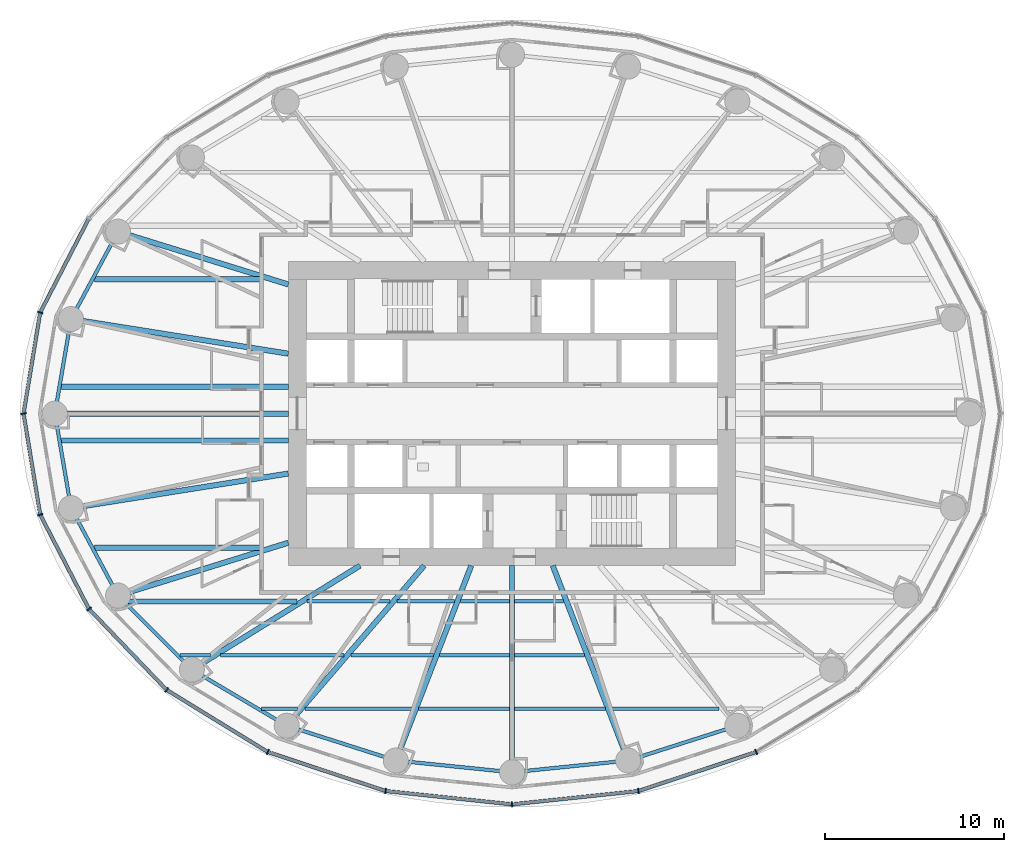
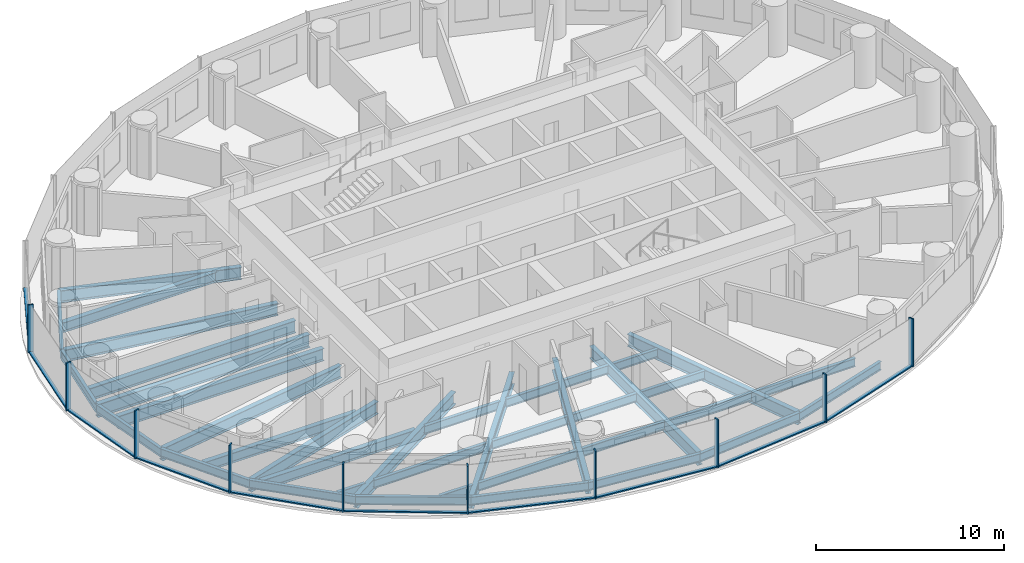
# One storey, part 2 of 16: 39 beams, 20 members, 3 elements without a shape of their own.
"""IFC4 building model written with IfcOpenShell, lengths in metres."""

from ifc_helpers import new_model, si_unit, direction, frame, origin, origin_2d, place, context, subcontext, project, spatial, rectangle, i_section, extrude, material, material_profile, profile_set, type_object, element, aggregate, save


model = new_model("IFC4")

# Units and contexts
model_context = context("Model", 3, precision=1e-05, world=origin(), true_north=direction((0.0, 1.0)))
body_context = subcontext(model_context, "Body", "Model", "MODEL_VIEW")
ifc_project = project(units=[si_unit("LENGTHUNIT", "METRE"), si_unit("AREAUNIT", "SQUARE_METRE"), si_unit("VOLUMEUNIT", "CUBIC_METRE"), si_unit("PLANEANGLEUNIT", "RADIAN"), si_unit("MASSUNIT", "GRAM", prefix="KILO")], contexts=[model_context])

# Site, building, storey
site_placement = place(None, origin())
site = spatial("IfcSite", under=ifc_project, at=site_placement, CompositionType="ELEMENT")
building_placement = place(site_placement, origin())
building = spatial("IfcBuilding", under=site, at=building_placement, Name="Hankou Lantern Tower", CompositionType="ELEMENT")
storey_placement = place(building_placement, frame((0.0, 0.0, 73.800048828125)))
storey = spatial("IfcBuildingStorey", under=building, at=storey_placement, Name="L18", CompositionType="ELEMENT", Elevation=73.800048828125)

# Beams
ifc_material_1 = material(Name="Steel Q355B", Category="steel")
ifc_material_profile_1 = material_profile(ifc_material_1, i_section(OverallWidth=0.199951171875, OverallDepth=0.550048828125, WebThickness=0.010009765625, FlangeThickness=0.01611328125, FilletRadius=0.012939453125, at=origin_2d()), Name="HN550x200x10x16")
ifc_profile_set_1 = profile_set([ifc_material_profile_1], Name="Steel Q355B")
beam_type_1 = type_object("IfcBeamType", Name="EB6 RING BEAM HN550x200x10x16", PredefinedType="SPANDREL", material=ifc_profile_set_1)
beam_1_placement = place(storey_placement, frame((-22.01904296875, 10.170166015625, -0.455078125), z_axis=(-0.473609096023, -0.880735161194, 0.0), x_axis=(0.880735161194, -0.473609096023, 0.0)))
element("IfcBeam", 1, at=beam_1_placement, inside=storey, type_object=beam_type_1, Name="Ring beam R11-R12 L18", PredefinedType="SPANDREL", context=body_context, shape_type="SweptSolid", body=[
    extrude(i_section(OverallWidth=0.199951171875, OverallDepth=0.550048828125, WebThickness=0.010009765625, FlangeThickness=0.01611328125, FilletRadius=0.012939453125, at=origin_2d()), origin(), (0.0, 0.0, 1.0), 5.548828125),
])
for number, where, z_axis, x_axis, name in (
    (2, (-24.64697265625, 5.283203125, -0.455078125), (-0.168489691988, -0.985703415685, 0.0), (0.985703415685, -0.168489691988, 0.0), "Ring beam R12-R13 L18"),
    (3, (-25.550048828125, 0.0, -0.455078125), (0.168489691988, -0.985703415685, 0.0), (0.985703415685, 0.168489691988, 0.0), "Ring beam R13-R14 L18"),
):
    element("IfcBeam", number, at=place(storey_placement, frame(where, z_axis=z_axis, x_axis=x_axis)), inside=storey, type_object=beam_type_1, Name=name, PredefinedType="SPANDREL", context=body_context, shape_type="SweptSolid", body=[
        extrude(i_section(OverallWidth=0.199951171875, OverallDepth=0.550048828125, WebThickness=0.010009765625, FlangeThickness=0.01611328125, FilletRadius=0.012939453125, at=origin_2d()), origin(), (0.0, 0.0, 1.0), 5.35986328125),
    ])
beam_2_placement = place(storey_placement, frame((-24.64697265625, -5.283203125, -0.455078125), z_axis=(0.473609096023, -0.880735161194, 0.0), x_axis=(0.880735161194, 0.473609096023, 0.0)))
element("IfcBeam", 4, at=beam_2_placement, inside=storey, type_object=beam_type_1, Name="Ring beam R14-R15 L18", PredefinedType="SPANDREL", context=body_context, shape_type="SweptSolid", body=[
    extrude(i_section(OverallWidth=0.199951171875, OverallDepth=0.550048828125, WebThickness=0.010009765625, FlangeThickness=0.01611328125, FilletRadius=0.012939453125, at=origin_2d()), origin(), (0.0, 0.0, 1.0), 5.548828125),
])
beam_3_placement = place(storey_placement, frame((-22.01904296875, -10.170166015625, -0.455078125), z_axis=(0.705727798394, -0.708483079949, 0.0), x_axis=(0.708483079949, 0.705727798394, 0.0)))
element("IfcBeam", 5, at=beam_3_placement, inside=storey, type_object=beam_type_1, Name="Ring beam R15-R16 L18", PredefinedType="SPANDREL", context=body_context, shape_type="SweptSolid", body=[
    extrude(i_section(OverallWidth=0.199951171875, OverallDepth=0.550048828125, WebThickness=0.010009765625, FlangeThickness=0.01611328125, FilletRadius=0.012939453125, at=origin_2d()), origin(), (0.0, 0.0, 1.0), 5.84814453125),
])
beam_4_placement = place(storey_placement, frame((-17.891845703125, -14.3134765625, -0.455078125), z_axis=(0.860881533543, -0.508805449268, 0.0), x_axis=(0.508805449268, 0.860881533543, 0.0)))
element("IfcBeam", 6, at=beam_4_placement, inside=storey, type_object=beam_type_1, Name="Ring beam R16-R17 L18", PredefinedType="SPANDREL", context=body_context, shape_type="SweptSolid", body=[
    extrude(i_section(OverallWidth=0.199951171875, OverallDepth=0.550048828125, WebThickness=0.010009765625, FlangeThickness=0.01611328125, FilletRadius=0.012939453125, at=origin_2d()), origin(), (0.0, 0.0, 1.0), 6.15771484375),
])
beam_5_placement = place(storey_placement, frame((-12.5908203125, -17.446533203125, -0.455078125), z_axis=(0.952690479428, -0.303942182671, 0.0), x_axis=(0.303942182671, 0.952690479428, 0.0)))
element("IfcBeam", 7, at=beam_5_placement, inside=storey, type_object=beam_type_1, Name="Ring beam R17-R18 L18", PredefinedType="SPANDREL", context=body_context, shape_type="SweptSolid", body=[
    extrude(i_section(OverallWidth=0.199951171875, OverallDepth=0.550048828125, WebThickness=0.010009765625, FlangeThickness=0.01611328125, FilletRadius=0.012939453125, at=origin_2d()), origin(), (0.0, 0.0, 1.0), 6.398681640625),
])
for number, where, z_axis, x_axis, name in (
    (8, (-6.494873046875, -19.391357421875, -0.455078125), (0.994896616842, -0.100899562915, 0.0), (0.100899562915, 0.994896616842, 0.0), "Ring beam R18-R19 L18"),
    (9, (0.0, -20.050048828125, -0.455078125), (0.994896616842, 0.100899562915, 0.0), (-0.100899562915, 0.994896616842, 0.0), "Ring beam R19-R20 L18"),
):
    element("IfcBeam", number, at=place(storey_placement, frame(where, z_axis=z_axis, x_axis=x_axis)), inside=storey, type_object=beam_type_1, Name=name, PredefinedType="SPANDREL", context=body_context, shape_type="SweptSolid", body=[
        extrude(i_section(OverallWidth=0.199951171875, OverallDepth=0.550048828125, WebThickness=0.010009765625, FlangeThickness=0.01611328125, FilletRadius=0.012939453125, at=origin_2d()), origin(), (0.0, 0.0, 1.0), 6.528076171875),
    ])
beam_6_placement = place(storey_placement, frame((6.494873046875, -19.391357421875, -0.455078125), z_axis=(0.952690479428, 0.303942182671, 0.0), x_axis=(-0.303942182671, 0.952690479428, 0.0)))
element("IfcBeam", 10, at=beam_6_placement, inside=storey, type_object=beam_type_1, Name="Ring beam R20-R21 L18", PredefinedType="SPANDREL", context=body_context, shape_type="SweptSolid", body=[
    extrude(i_section(OverallWidth=0.199951171875, OverallDepth=0.550048828125, WebThickness=0.010009765625, FlangeThickness=0.01611328125, FilletRadius=0.012939453125, at=origin_2d()), origin(), (0.0, 0.0, 1.0), 6.398681640625),
])

# Curtain wall, member
ifc_material_2 = material(Name="Glass, dark grey tinted laminated", Category="glass")
curtain_wall_type = type_object("IfcCurtainWallType", Name="CWA OUTER SKIN LOW-RISE", PredefinedType="USERDEFINED", material=ifc_material_2)
curtain_wall_1_placement = place(storey_placement, origin())
curtain_wall_1 = element("IfcCurtainWall", 11, at=curtain_wall_1_placement, inside=storey, type_object=curtain_wall_type, Name="CWA L18 OS2", ObjectType="OUTER SKIN LOW-RISE", PredefinedType="USERDEFINED")
ifc_material_3 = material(Name="Aluminium, black anodised", Category="aluminium")
ifc_material_profile_2 = material_profile(ifc_material_3, rectangle(XDim=0.080078125, YDim=0.300048828125, at=origin_2d()), Name="MU1 80X300")
ifc_profile_set_2 = profile_set([ifc_material_profile_2], Name="Aluminium, black anodised")
member_type_1 = type_object("IfcMemberType", Name="MU1 OUTER SKIN MULLION 80X300", PredefinedType="MULLION", material=ifc_profile_set_2)
member_1_placement = place(storey_placement, frame((-26.369873046875, 5.652587890625, 0.0), z_axis=(0.0, 0.0, 1.0), x_axis=(-0.317595577365, -0.94822626479, 0.0)))
member_1 = element("IfcMember", 12, at=member_1_placement, type_object=member_type_1, Name="CWA mullion 6", PredefinedType="MULLION", context=body_context, shape_type="SweptSolid", body=[
    extrude(rectangle(XDim=0.080078125, YDim=0.300048828125, at=origin_2d()), origin(), (0.0, 0.0, 1.0), 3.119873046875),
])

# Curtain wall, members
curtain_wall_2_placement = place(storey_placement, origin())
curtain_wall_2 = element("IfcCurtainWall", 13, at=curtain_wall_2_placement, inside=storey, type_object=curtain_wall_type, Name="CWA L18 OS3", ObjectType="OUTER SKIN LOW-RISE", PredefinedType="USERDEFINED")
member_2_placement = place(storey_placement, frame((-27.300048828125, 0.0, 0.0), z_axis=(0.0, 0.0, 1.0), x_axis=(0.162381515188, -0.986728049427, 0.0)))
member_2 = element("IfcMember", 14, at=member_2_placement, type_object=member_type_1, Name="CWA mullion 1", PredefinedType="MULLION", context=body_context, shape_type="SweptSolid", body=[
    extrude(rectangle(XDim=0.080078125, YDim=0.300048828125, at=origin_2d()), origin(), (0.0, 0.0, 1.0), 3.119873046875),
])
member_3_placement = place(storey_placement, frame((-26.369873046875, -5.652587890625, 0.0), z_axis=(0.0, 0.0, 1.0), x_axis=(0.317595577365, -0.94822626479, 0.0)))
member_3 = element("IfcMember", 15, at=member_3_placement, type_object=member_type_1, Name="CWA mullion 2", PredefinedType="MULLION", context=body_context, shape_type="SweptSolid", body=[
    extrude(rectangle(XDim=0.080078125, YDim=0.300048828125, at=origin_2d()), origin(), (0.0, 0.0, 1.0), 3.119873046875),
])
member_4_placement = place(storey_placement, frame((-23.642578125, -10.919921875, 0.0), z_axis=(0.0, 0.0, 1.0), x_axis=(0.585205735974, -0.810884854084, 0.0)))
member_4 = element("IfcMember", 16, at=member_4_placement, type_object=member_type_1, Name="CWA mullion 3", PredefinedType="MULLION", context=body_context, shape_type="SweptSolid", body=[
    extrude(rectangle(XDim=0.080078125, YDim=0.300048828125, at=origin_2d()), origin(), (0.0, 0.0, 1.0), 3.119873046875),
])
member_5_placement = place(storey_placement, frame((-19.303955078125, -15.443115234375, 0.0), z_axis=(0.0, 0.0, 1.0), x_axis=(0.780868809444, -0.624695047553, 0.0)))
member_5 = element("IfcMember", 17, at=member_5_placement, type_object=member_type_1, Name="CWA mullion 4", PredefinedType="MULLION", context=body_context, shape_type="SweptSolid", body=[
    extrude(rectangle(XDim=0.080078125, YDim=0.300048828125, at=origin_2d()), origin(), (0.0, 0.0, 1.0), 3.119873046875),
])
member_6_placement = place(storey_placement, frame((-13.64990234375, -18.9140625, 0.0), z_axis=(0.0, 0.0, 1.0), x_axis=(0.907841299004, -0.419313934686, 0.0)))
member_6 = element("IfcMember", 18, at=member_6_placement, type_object=member_type_1, Name="CWA mullion 5", PredefinedType="MULLION", context=body_context, shape_type="SweptSolid", body=[
    extrude(rectangle(XDim=0.080078125, YDim=0.300048828125, at=origin_2d()), origin(), (0.0, 0.0, 1.0), 3.119873046875),
])
member_7_placement = place(storey_placement, frame((-7.065673828125, -21.095703125, 0.0), z_axis=(0.0, 0.0, 1.0), x_axis=(0.977787659625, -0.209597931016, 0.0)))
member_7 = element("IfcMember", 19, at=member_7_placement, type_object=member_type_1, Name="CWA mullion 6", PredefinedType="MULLION", context=body_context, shape_type="SweptSolid", body=[
    extrude(rectangle(XDim=0.080078125, YDim=0.300048828125, at=origin_2d()), origin(), (0.0, 0.0, 1.0), 3.119873046875),
])

curtain_wall_3_placement = place(storey_placement, origin())
curtain_wall_3 = element("IfcCurtainWall", 20, at=curtain_wall_3_placement, inside=storey, type_object=curtain_wall_type, Name="CWA L18 OS4", ObjectType="OUTER SKIN LOW-RISE", PredefinedType="USERDEFINED")
member_8_placement = place(storey_placement, frame((0.0, -21.840087890625, 0.0), z_axis=(0.0, 0.0, 1.0), x_axis=(0.994499359107, 0.104742659579, 0.0)))
member_8 = element("IfcMember", 21, at=member_8_placement, type_object=member_type_1, Name="CWA mullion 1", PredefinedType="MULLION", context=body_context, shape_type="SweptSolid", body=[
    extrude(rectangle(XDim=0.080078125, YDim=0.300048828125, at=origin_2d()), origin(), (0.0, 0.0, 1.0), 3.119873046875),
])
member_9_placement = place(storey_placement, frame((7.065673828125, -21.095703125, 0.0), z_axis=(0.0, 0.0, 1.0), x_axis=(0.977787659625, 0.209597931016, 0.0)))
member_9 = element("IfcMember", 22, at=member_9_placement, type_object=member_type_1, Name="CWA mullion 2", PredefinedType="MULLION", context=body_context, shape_type="SweptSolid", body=[
    extrude(rectangle(XDim=0.080078125, YDim=0.300048828125, at=origin_2d()), origin(), (0.0, 0.0, 1.0), 3.119873046875),
])
member_10_placement = place(storey_placement, frame((13.64990234375, -18.9140625, 0.0), z_axis=(0.0, 0.0, 1.0), x_axis=(0.907841299004, 0.419313934686, 0.0)))
member_10 = element("IfcMember", 23, at=member_10_placement, type_object=member_type_1, Name="CWA mullion 3", PredefinedType="MULLION", context=body_context, shape_type="SweptSolid", body=[
    extrude(rectangle(XDim=0.080078125, YDim=0.300048828125, at=origin_2d()), origin(), (0.0, 0.0, 1.0), 3.119873046875),
])

# Beams
ifc_material_4 = material(Name="Steel Q355B", Category="steel")
ifc_material_profile_3 = material_profile(ifc_material_4, i_section(OverallWidth=0.300048828125, OverallDepth=0.800048828125, WebThickness=0.013916015625, FlangeThickness=0.02587890625, FilletRadius=0.01806640625, at=origin_2d()), Name="HN800x300x14x26")
ifc_profile_set_3 = profile_set([ifc_material_profile_3], Name="Steel Q355B")
beam_type_2 = type_object("IfcBeamType", Name="RB11 RADIAL BEAM HN800x300x14x26", PredefinedType="BEAM", material=ifc_profile_set_3)
beam_7_placement = place(storey_placement, frame((-12.5, 7.216796875, -0.580078125), z_axis=(-0.955087327755, 0.29632447817, 0.0), x_axis=(-0.29632447817, -0.955087327755, 0.0)))
element("IfcBeam", 24, at=beam_7_placement, inside=storey, type_object=beam_type_2, Name="Radial beam R11 L18", PredefinedType="BEAM", context=body_context, shape_type="SweptSolid", body=[
    extrude(i_section(OverallWidth=0.300048828125, OverallDepth=0.800048828125, WebThickness=0.013916015625, FlangeThickness=0.02587890625, FilletRadius=0.01806640625, at=origin_2d()), origin(), (0.0, 0.0, 1.0), 9.966552734375),
])
for number, where, z_axis, x_axis, name in (
    (25, (-12.5, 3.349365234375, -0.580078125), (-0.987563081343, 0.157223281893, 0.0), (-0.157223281893, -0.987563081343, 0.0), "Radial beam R12 L18"),
    (26, (-12.5, -3.349365234375, -0.580078125), (-0.987563081343, -0.157223281893, 0.0), (0.157223281893, -0.987563081343, 0.0), "Radial beam R14 L18"),
):
    element("IfcBeam", number, at=place(storey_placement, frame(where, z_axis=z_axis, x_axis=x_axis)), inside=storey, type_object=beam_type_2, Name=name, PredefinedType="BEAM", context=body_context, shape_type="SweptSolid", body=[
        extrude(i_section(OverallWidth=0.300048828125, OverallDepth=0.800048828125, WebThickness=0.013916015625, FlangeThickness=0.02587890625, FilletRadius=0.01806640625, at=origin_2d()), origin(), (0.0, 0.0, 1.0), 12.300048828125),
    ])
beam_8_placement = place(storey_placement, frame((-12.5, -7.216796875, -0.580078125), z_axis=(-0.955087327755, -0.29632447817, 0.0), x_axis=(0.29632447817, -0.955087327755, 0.0)))
element("IfcBeam", 27, at=beam_8_placement, inside=storey, type_object=beam_type_2, Name="Radial beam R15 L18", PredefinedType="BEAM", context=body_context, shape_type="SweptSolid", body=[
    extrude(i_section(OverallWidth=0.300048828125, OverallDepth=0.800048828125, WebThickness=0.013916015625, FlangeThickness=0.02587890625, FilletRadius=0.01806640625, at=origin_2d()), origin(), (0.0, 0.0, 1.0), 9.966552734375),
])
beam_9_placement = place(storey_placement, frame((-8.5, -8.5, -0.580078125), z_axis=(-0.850286343288, -0.526320372414, 0.0), x_axis=(0.526320372414, -0.850286343288, 0.0)))
element("IfcBeam", 28, at=beam_9_placement, inside=storey, type_object=beam_type_2, Name="Radial beam R16 L18", PredefinedType="BEAM", context=body_context, shape_type="SweptSolid", body=[
    extrude(i_section(OverallWidth=0.300048828125, OverallDepth=0.800048828125, WebThickness=0.013916015625, FlangeThickness=0.02587890625, FilletRadius=0.01806640625, at=origin_2d()), origin(), (0.0, 0.0, 1.0), 11.04541015625),
])
beam_10_placement = place(storey_placement, frame((-4.907470703125, -8.5, -0.580078125), z_axis=(-0.651519061225, -0.758632264579, 0.0), x_axis=(0.758632264579, -0.651519061225, 0.0)))
element("IfcBeam", 29, at=beam_10_placement, inside=storey, type_object=beam_type_2, Name="Radial beam R17 L18", PredefinedType="BEAM", context=body_context, shape_type="SweptSolid", body=[
    extrude(i_section(OverallWidth=0.300048828125, OverallDepth=0.800048828125, WebThickness=0.013916015625, FlangeThickness=0.02587890625, FilletRadius=0.01806640625, at=origin_2d()), origin(), (0.0, 0.0, 1.0), 11.79296875),
])
beam_11_placement = place(storey_placement, frame((-2.277587890625, -8.5, -0.580078125), z_axis=(-0.361089103374, -0.932531318201, 0.0), x_axis=(0.932531318201, -0.361089103374, 0.0)))
element("IfcBeam", 30, at=beam_11_placement, inside=storey, type_object=beam_type_2, Name="Radial beam R18 L18", PredefinedType="BEAM", context=body_context, shape_type="SweptSolid", body=[
    extrude(i_section(OverallWidth=0.300048828125, OverallDepth=0.800048828125, WebThickness=0.013916015625, FlangeThickness=0.02587890625, FilletRadius=0.01806640625, at=origin_2d()), origin(), (0.0, 0.0, 1.0), 11.679443359375),
])
beam_12_placement = place(storey_placement, frame((0.0, -8.5, -0.580078125), z_axis=(0.0, -1.0, 0.0), x_axis=(1.0, 0.0, 0.0)))
element("IfcBeam", 31, at=beam_12_placement, inside=storey, type_object=beam_type_2, Name="Radial beam R19 L18", PredefinedType="BEAM", context=body_context, shape_type="SweptSolid", body=[
    extrude(i_section(OverallWidth=0.300048828125, OverallDepth=0.800048828125, WebThickness=0.013916015625, FlangeThickness=0.02587890625, FilletRadius=0.01806640625, at=origin_2d()), origin(), (0.0, 0.0, 1.0), 11.550048828125),
])
beam_13_placement = place(storey_placement, frame((2.277587890625, -8.5, -0.580078125), z_axis=(0.361089103374, -0.932531318201, 0.0), x_axis=(0.932531318201, 0.361089103374, 0.0)))
element("IfcBeam", 32, at=beam_13_placement, inside=storey, type_object=beam_type_2, Name="Radial beam R20 L18", PredefinedType="BEAM", context=body_context, shape_type="SweptSolid", body=[
    extrude(i_section(OverallWidth=0.300048828125, OverallDepth=0.800048828125, WebThickness=0.013916015625, FlangeThickness=0.02587890625, FilletRadius=0.01806640625, at=origin_2d()), origin(), (0.0, 0.0, 1.0), 11.679443359375),
])
ifc_material_5 = material(Name="Steel Q355B", Category="steel")
ifc_material_profile_4 = material_profile(ifc_material_5, i_section(OverallWidth=0.300048828125, OverallDepth=0.85009765625, WebThickness=0.01611328125, FlangeThickness=0.027099609375, FilletRadius=0.01806640625, at=origin_2d()), Name="HN850x300x16x27")
ifc_profile_set_4 = profile_set([ifc_material_profile_4], Name="Steel Q355B")
beam_type_3 = type_object("IfcBeamType", Name="RB12 RADIAL BEAM HN850x300x16x27", PredefinedType="BEAM", material=ifc_profile_set_4)
beam_14_placement = place(storey_placement, frame((-12.5, 0.0, -0.60498046875), z_axis=(-1.0, 0.0, 0.0), x_axis=(0.0, -1.0, 0.0)))
element("IfcBeam", 33, at=beam_14_placement, inside=storey, type_object=beam_type_3, Name="Radial beam R13 L18", PredefinedType="BEAM", context=body_context, shape_type="SweptSolid", body=[
    extrude(i_section(OverallWidth=0.300048828125, OverallDepth=0.85009765625, WebThickness=0.01611328125, FlangeThickness=0.027099609375, FilletRadius=0.01806640625, at=origin_2d()), origin(), (0.0, 0.0, 1.0), 13.050048828125),
])
ifc_material_6 = material(Name="Steel Q355B", Category="steel")
ifc_material_profile_5 = material_profile(ifc_material_6, i_section(OverallWidth=0.300048828125, OverallDepth=0.800048828125, WebThickness=0.013916015625, FlangeThickness=0.02587890625, FilletRadius=0.01806640625, at=origin_2d()), Name="HN800x300x14x26")
ifc_profile_set_5 = profile_set([ifc_material_profile_5], Name="Steel Q355B")
beam_type_4 = type_object("IfcBeamType", Name="SB11 SECONDARY BEAM HN800x300x14x26", PredefinedType="JOIST", material=ifc_profile_set_5)
for number, where, z_axis, x_axis, name in (
    (34, (-25.192138671875, -1.5, -0.580078125), (1.0, 0.0, 0.0), (0.0, 1.0, 0.0), "Floor joist J029 L18"),
    (35, (-25.192138671875, 1.5, -0.580078125), (1.0, 0.0, 0.0), (0.0, 1.0, 0.0), "Floor joist J031 L18"),
):
    element("IfcBeam", number, at=place(storey_placement, frame(where, z_axis=z_axis, x_axis=x_axis)), inside=storey, type_object=beam_type_4, Name=name, PredefinedType="JOIST", context=body_context, shape_type="SweptSolid", body=[
        extrude(i_section(OverallWidth=0.300048828125, OverallDepth=0.800048828125, WebThickness=0.013916015625, FlangeThickness=0.02587890625, FilletRadius=0.01806640625, at=origin_2d()), origin(), (0.0, 0.0, 1.0), 12.692138671875),
    ])
ifc_material_7 = material(Name="Steel Q355B", Category="steel")
ifc_material_profile_6 = material_profile(ifc_material_7, i_section(OverallWidth=0.199951171875, OverallDepth=0.550048828125, WebThickness=0.010009765625, FlangeThickness=0.01611328125, FilletRadius=0.012939453125, at=origin_2d()), Name="HN550x200x10x16")
ifc_profile_set_6 = profile_set([ifc_material_profile_6], Name="Steel Q355B")
beam_type_5 = type_object("IfcBeamType", Name="SB6 SECONDARY BEAM HN550x200x10x16", PredefinedType="JOIST", material=ifc_profile_set_6)
beam_15_placement = place(storey_placement, frame((-13.99560546875, -16.5, -0.455078125), z_axis=(1.0, 0.0, 0.0), x_axis=(0.0, 1.0, 0.0)))
element("IfcBeam", 36, at=beam_15_placement, inside=storey, type_object=beam_type_5, Name="Floor joist J001 L18", PredefinedType="JOIST", context=body_context, shape_type="SweptSolid", body=[
    extrude(i_section(OverallWidth=0.199951171875, OverallDepth=0.550048828125, WebThickness=0.010009765625, FlangeThickness=0.01611328125, FilletRadius=0.012939453125, at=origin_2d()), origin(), (0.0, 0.0, 1.0), 2.019775390625),
])
beam_16_placement = place(storey_placement, frame((-11.580322265625, -16.5, -0.455078125), z_axis=(1.0, 0.0, 0.0), x_axis=(0.0, 1.0, 0.0)))
element("IfcBeam", 37, at=beam_16_placement, inside=storey, type_object=beam_type_5, Name="Floor joist J002 L18", PredefinedType="JOIST", context=body_context, shape_type="SweptSolid", body=[
    extrude(i_section(OverallWidth=0.199951171875, OverallDepth=0.550048828125, WebThickness=0.010009765625, FlangeThickness=0.01611328125, FilletRadius=0.012939453125, at=origin_2d()), origin(), (0.0, 0.0, 1.0), 6.044189453125),
])
for number, where, z_axis, x_axis, name in (
    (38, (-5.21435546875, -16.5, -0.455078125), (1.0, 0.0, 0.0), (0.0, 1.0, 0.0), "Floor joist J003 L18"),
    (39, (0.14990234375, -16.5, -0.455078125), (1.0, 0.0, 0.0), (0.0, 1.0, 0.0), "Floor joist J004 L18"),
):
    element("IfcBeam", number, at=place(storey_placement, frame(where, z_axis=z_axis, x_axis=x_axis)), inside=storey, type_object=beam_type_5, Name=name, PredefinedType="JOIST", context=body_context, shape_type="SweptSolid", body=[
        extrude(i_section(OverallWidth=0.199951171875, OverallDepth=0.550048828125, WebThickness=0.010009765625, FlangeThickness=0.01611328125, FilletRadius=0.012939453125, at=origin_2d()), origin(), (0.0, 0.0, 1.0), 5.064453125),
    ])
beam_17_placement = place(storey_placement, frame((5.5361328125, -16.5, -0.455078125), z_axis=(1.0, 0.0, 0.0), x_axis=(0.0, 1.0, 0.0)))
element("IfcBeam", 40, at=beam_17_placement, inside=storey, type_object=beam_type_5, Name="Floor joist J005 L18", PredefinedType="JOIST", context=body_context, shape_type="SweptSolid", body=[
    extrude(i_section(OverallWidth=0.199951171875, OverallDepth=0.550048828125, WebThickness=0.010009765625, FlangeThickness=0.01611328125, FilletRadius=0.012939453125, at=origin_2d()), origin(), (0.0, 0.0, 1.0), 6.044189453125),
])
beam_18_placement = place(storey_placement, frame((-18.560791015625, -13.5, -0.455078125), z_axis=(1.0, 0.0, 0.0), x_axis=(0.0, 1.0, 0.0)))
element("IfcBeam", 41, at=beam_18_placement, inside=storey, type_object=beam_type_5, Name="Floor joist J007 L18", PredefinedType="JOIST", context=body_context, shape_type="SweptSolid", body=[
    extrude(i_section(OverallWidth=0.199951171875, OverallDepth=0.550048828125, WebThickness=0.010009765625, FlangeThickness=0.01611328125, FilletRadius=0.012939453125, at=origin_2d()), origin(), (0.0, 0.0, 1.0), 1.697998046875),
])
beam_19_placement = place(storey_placement, frame((-16.292724609375, -13.5, -0.455078125), z_axis=(1.0, 0.0, 0.0), x_axis=(0.0, 1.0, 0.0)))
element("IfcBeam", 42, at=beam_19_placement, inside=storey, type_object=beam_type_5, Name="Floor joist J008 L18", PredefinedType="JOIST", context=body_context, shape_type="SweptSolid", body=[
    extrude(i_section(OverallWidth=0.199951171875, OverallDepth=0.550048828125, WebThickness=0.010009765625, FlangeThickness=0.01611328125, FilletRadius=0.012939453125, at=origin_2d()), origin(), (0.0, 0.0, 1.0), 6.893310546875),
])
beam_20_placement = place(storey_placement, frame((-9.00390625, -13.5, -0.455078125), z_axis=(1.0, 0.0, 0.0), x_axis=(0.0, 1.0, 0.0)))
element("IfcBeam", 43, at=beam_20_placement, inside=storey, type_object=beam_type_5, Name="Floor joist J009 L18", PredefinedType="JOIST", context=body_context, shape_type="SweptSolid", body=[
    extrude(i_section(OverallWidth=0.199951171875, OverallDepth=0.550048828125, WebThickness=0.010009765625, FlangeThickness=0.01611328125, FilletRadius=0.012939453125, at=origin_2d()), origin(), (0.0, 0.0, 1.0), 4.62939453125),
])
for number, where, z_axis, x_axis, name in (
    (44, (-4.052734375, -13.5, -0.455078125), (1.0, 0.0, 0.0), (0.0, 1.0, 0.0), "Floor joist J010 L18"),
    (45, (0.14990234375, -13.5, -0.455078125), (1.0, 0.0, 0.0), (0.0, 1.0, 0.0), "Floor joist J011 L18"),
):
    element("IfcBeam", number, at=place(storey_placement, frame(where, z_axis=z_axis, x_axis=x_axis)), inside=storey, type_object=beam_type_5, Name=name, PredefinedType="JOIST", context=body_context, shape_type="SweptSolid", body=[
        extrude(i_section(OverallWidth=0.199951171875, OverallDepth=0.550048828125, WebThickness=0.010009765625, FlangeThickness=0.01611328125, FilletRadius=0.012939453125, at=origin_2d()), origin(), (0.0, 0.0, 1.0), 3.90283203125),
    ])
beam_21_placement = place(storey_placement, frame((-11.446044921875, -10.5, -0.455078125), z_axis=(1.0, 0.0, 0.0), x_axis=(0.0, 1.0, 0.0)))
element("IfcBeam", 46, at=beam_21_placement, inside=storey, type_object=beam_type_5, Name="Floor joist J016 L18", PredefinedType="JOIST", context=body_context, shape_type="SweptSolid", body=[
    extrude(i_section(OverallWidth=0.199951171875, OverallDepth=0.550048828125, WebThickness=0.010009765625, FlangeThickness=0.01611328125, FilletRadius=0.012939453125, at=origin_2d()), origin(), (0.0, 0.0, 1.0), 4.623291015625),
])
beam_22_placement = place(storey_placement, frame((-6.427490234375, -10.5, -0.455078125), z_axis=(1.0, 0.0, 0.0), x_axis=(0.0, 1.0, 0.0)))
element("IfcBeam", 47, at=beam_22_placement, inside=storey, type_object=beam_type_5, Name="Floor joist J017 L18", PredefinedType="JOIST", context=body_context, shape_type="SweptSolid", body=[
    extrude(i_section(OverallWidth=0.199951171875, OverallDepth=0.550048828125, WebThickness=0.010009765625, FlangeThickness=0.01611328125, FilletRadius=0.012939453125, at=origin_2d()), origin(), (0.0, 0.0, 1.0), 3.214599609375),
])
for number, where, z_axis, x_axis, name in (
    (48, (-2.89111328125, -10.5, -0.455078125), (1.0, 0.0, 0.0), (0.0, 1.0, 0.0), "Floor joist J018 L18"),
    (49, (0.14990234375, -10.5, -0.455078125), (1.0, 0.0, 0.0), (0.0, 1.0, 0.0), "Floor joist J019 L18"),
):
    element("IfcBeam", number, at=place(storey_placement, frame(where, z_axis=z_axis, x_axis=x_axis)), inside=storey, type_object=beam_type_5, Name=name, PredefinedType="JOIST", context=body_context, shape_type="SweptSolid", body=[
        extrude(i_section(OverallWidth=0.199951171875, OverallDepth=0.550048828125, WebThickness=0.010009765625, FlangeThickness=0.01611328125, FilletRadius=0.012939453125, at=origin_2d()), origin(), (0.0, 0.0, 1.0), 2.7412109375),
    ])
ifc_material_8 = material(Name="Steel Q355B", Category="steel")
ifc_material_profile_7 = material_profile(ifc_material_8, i_section(OverallWidth=0.300048828125, OverallDepth=0.64990234375, WebThickness=0.010986328125, FlangeThickness=0.01708984375, FilletRadius=0.01806640625, at=origin_2d()), Name="HN650x300x11x17")
ifc_profile_set_7 = profile_set([ifc_material_profile_7], Name="Steel Q355B")
beam_type_6 = type_object("IfcBeamType", Name="SB8 SECONDARY BEAM HN650x300x11x17", PredefinedType="JOIST", material=ifc_profile_set_7)
beam_23_placement = place(storey_placement, frame((-21.54931640625, -10.5, -0.505126953125), z_axis=(1.0, 0.0, 0.0), x_axis=(0.0, 1.0, 0.0)))
element("IfcBeam", 50, at=beam_23_placement, inside=storey, type_object=beam_type_6, Name="Floor joist J015 L18", PredefinedType="JOIST", context=body_context, shape_type="SweptSolid", body=[
    extrude(i_section(OverallWidth=0.300048828125, OverallDepth=0.64990234375, WebThickness=0.010986328125, FlangeThickness=0.01708984375, FilletRadius=0.01806640625, at=origin_2d()), origin(), (0.0, 0.0, 1.0), 9.533203125),
])
for number, where, z_axis, x_axis, name in (
    (51, (-23.341552734375, -7.5, -0.505126953125), (1.0, 0.0, 0.0), (0.0, 1.0, 0.0), "Floor joist J023 L18"),
    (52, (-23.341552734375, 7.5, -0.505126953125), (1.0, 0.0, 0.0), (0.0, 1.0, 0.0), "Floor joist J037 L18"),
):
    element("IfcBeam", number, at=place(storey_placement, frame(where, z_axis=z_axis, x_axis=x_axis)), inside=storey, type_object=beam_type_6, Name=name, PredefinedType="JOIST", context=body_context, shape_type="SweptSolid", body=[
        extrude(i_section(OverallWidth=0.300048828125, OverallDepth=0.64990234375, WebThickness=0.010986328125, FlangeThickness=0.01708984375, FilletRadius=0.01806640625, at=origin_2d()), origin(), (0.0, 0.0, 1.0), 9.4228515625),
    ])

# Member
ifc_material_9 = material(Name="Aluminium, black anodised", Category="aluminium")
ifc_material_profile_8 = material_profile(ifc_material_9, rectangle(XDim=0.199951171875, YDim=0.080078125, at=origin_2d()), Name="TR1 200X80")
ifc_profile_set_8 = profile_set([ifc_material_profile_8], Name="Aluminium, black anodised")
member_type_2 = type_object("IfcMemberType", Name="TR1 OUTER SKIN TRANSOM 200X80", PredefinedType="USERDEFINED", material=ifc_profile_set_8)
member_11_placement = place(storey_placement, frame((-23.660888671875, 10.884521484375, 0.0400390625), z_axis=(-0.459786096495, -0.888029698529, 0.0), x_axis=(0.888029698529, -0.459786096495, 0.0)))
member_11 = element("IfcMember", 53, at=member_11_placement, type_object=member_type_2, Name="CWA transom 5", ObjectType="TRANSOM", PredefinedType="USERDEFINED", context=body_context, shape_type="SweptSolid", body=[
    extrude(rectangle(XDim=0.199951171875, YDim=0.080078125, at=origin_2d()), origin(), (0.0, 0.0, 1.0), 5.8515625),
])

member_12_placement = place(storey_placement, frame((-26.376220703125, 5.613037109375, 0.0400390625), z_axis=(-0.162387045529, -0.986727139307, 0.0), x_axis=(0.986727139307, -0.162387045529, 0.0)))
member_12 = element("IfcMember", 54, at=member_12_placement, type_object=member_type_2, Name="CWA transom 6", ObjectType="TRANSOM", PredefinedType="USERDEFINED", context=body_context, shape_type="SweptSolid", body=[
    extrude(rectangle(XDim=0.199951171875, YDim=0.080078125, at=origin_2d()), origin(), (0.0, 0.0, 1.0), 5.6484375),
])

aggregate(curtain_wall_1, [member_1, member_11, member_12])

member_13_placement = place(storey_placement, frame((-27.29345703125, -0.03955078125, 0.0400390625), z_axis=(0.162387045529, -0.986727139307, 0.0), x_axis=(0.986727139307, 0.162387045529, 0.0)))
member_13 = element("IfcMember", 55, at=member_13_placement, type_object=member_type_2, Name="CWA transom 1", ObjectType="TRANSOM", PredefinedType="USERDEFINED", context=body_context, shape_type="SweptSolid", body=[
    extrude(rectangle(XDim=0.199951171875, YDim=0.080078125, at=origin_2d()), origin(), (0.0, 0.0, 1.0), 5.6484375),
])

member_14_placement = place(storey_placement, frame((-26.351318359375, -5.688232421875, 0.0400390625), z_axis=(0.459786096495, -0.888029698529, 0.0), x_axis=(0.888029698529, 0.459786096495, 0.0)))
member_14 = element("IfcMember", 56, at=member_14_placement, type_object=member_type_2, Name="CWA transom 2", ObjectType="TRANSOM", PredefinedType="USERDEFINED", context=body_context, shape_type="SweptSolid", body=[
    extrude(rectangle(XDim=0.199951171875, YDim=0.080078125, at=origin_2d()), origin(), (0.0, 0.0, 1.0), 5.8515625),
])

member_15_placement = place(storey_placement, frame((-23.61474609375, -10.948974609375, 0.0400390625), z_axis=(0.692215537374, -0.721690827029, 0.0), x_axis=(0.721690827029, 0.692215537374, 0.0)))
member_15 = element("IfcMember", 57, at=member_15_placement, type_object=member_type_2, Name="CWA transom 3", ObjectType="TRANSOM", PredefinedType="USERDEFINED", context=body_context, shape_type="SweptSolid", body=[
    extrude(rectangle(XDim=0.199951171875, YDim=0.080078125, at=origin_2d()), origin(), (0.0, 0.0, 1.0), 6.187255859375),
])

member_16_placement = place(storey_placement, frame((-19.27001953125, -15.464111328125, 0.0400390625), z_axis=(0.85223969557, -0.523151508929, 0.0), x_axis=(0.523151508929, 0.85223969557, 0.0)))
member_16 = element("IfcMember", 58, at=member_16_placement, type_object=member_type_2, Name="CWA transom 4", ObjectType="TRANSOM", PredefinedType="USERDEFINED", context=body_context, shape_type="SweptSolid", body=[
    extrude(rectangle(XDim=0.199951171875, YDim=0.080078125, at=origin_2d()), origin(), (0.0, 0.0, 1.0), 6.554443359375),
])

member_17_placement = place(storey_placement, frame((-13.612060546875, -18.926513671875, 0.0400390625), z_axis=(0.949237318771, -0.314560825044, 0.0), x_axis=(0.314560825044, 0.949237318771, 0.0)))
member_17 = element("IfcMember", 59, at=member_17_placement, type_object=member_type_2, Name="CWA transom 5", ObjectType="TRANSOM", PredefinedType="USERDEFINED", context=body_context, shape_type="SweptSolid", body=[
    extrude(rectangle(XDim=0.199951171875, YDim=0.080078125, at=origin_2d()), origin(), (0.0, 0.0, 1.0), 6.8564453125),
])

member_18_placement = place(storey_placement, frame((-7.02587890625, -21.10009765625, 0.0400390625), z_axis=(0.994502215033, -0.104715539888, 0.0), x_axis=(0.104715539888, 0.994502215033, 0.0)))
member_18 = element("IfcMember", 60, at=member_18_placement, type_object=member_type_2, Name="CWA transom 6", ObjectType="TRANSOM", PredefinedType="USERDEFINED", context=body_context, shape_type="SweptSolid", body=[
    extrude(rectangle(XDim=0.199951171875, YDim=0.080078125, at=origin_2d()), origin(), (0.0, 0.0, 1.0), 7.024658203125),
])

aggregate(curtain_wall_2, [member_2, member_3, member_4, member_5, member_6, member_7, member_13, member_14, member_15, member_16, member_17, member_18])

member_19_placement = place(storey_placement, frame((0.039794921875, -21.835693359375, 0.0400390625), z_axis=(0.994502215033, 0.104715539888, 0.0), x_axis=(-0.104715539888, 0.994502215033, 0.0)))
member_19 = element("IfcMember", 61, at=member_19_placement, type_object=member_type_2, Name="CWA transom 1", ObjectType="TRANSOM", PredefinedType="USERDEFINED", context=body_context, shape_type="SweptSolid", body=[
    extrude(rectangle(XDim=0.199951171875, YDim=0.080078125, at=origin_2d()), origin(), (0.0, 0.0, 1.0), 7.024658203125),
])

member_20_placement = place(storey_placement, frame((7.103759765625, -21.083251953125, 0.0400390625), z_axis=(0.949237318771, 0.314560825044, 0.0), x_axis=(-0.314560825044, 0.949237318771, 0.0)))
member_20 = element("IfcMember", 62, at=member_20_placement, type_object=member_type_2, Name="CWA transom 2", ObjectType="TRANSOM", PredefinedType="USERDEFINED", context=body_context, shape_type="SweptSolid", body=[
    extrude(rectangle(XDim=0.199951171875, YDim=0.080078125, at=origin_2d()), origin(), (0.0, 0.0, 1.0), 6.8564453125),
])

aggregate(curtain_wall_3, [member_8, member_9, member_10, member_19, member_20])

save(model, "model.ifc")
